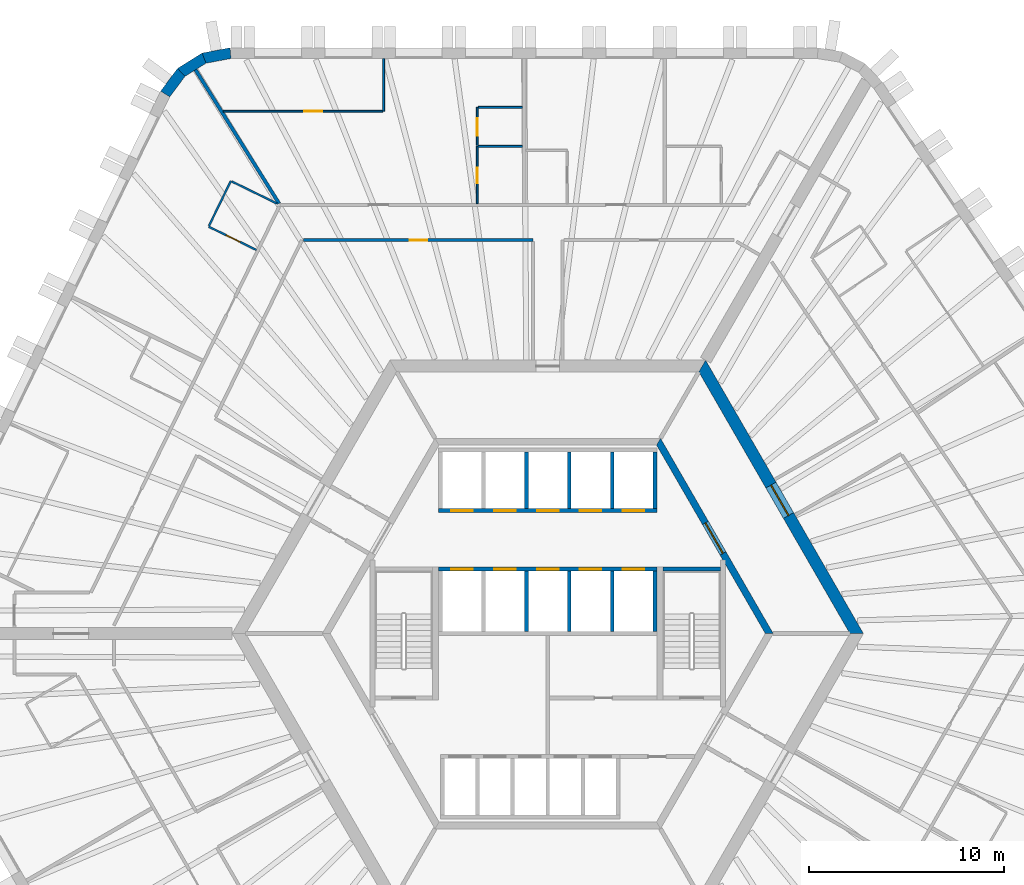
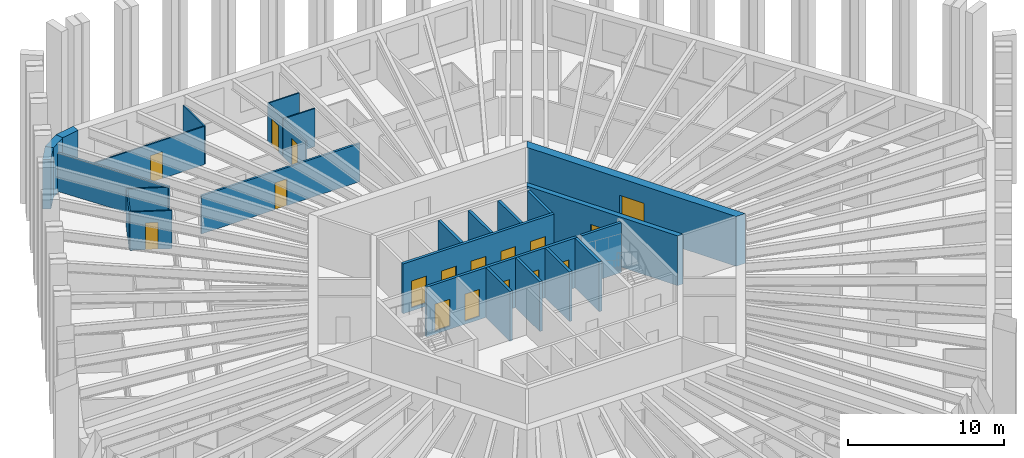
# One storey, part 8 of 13: 27 walls, 17 doors, 17 openings.
"""IFC4 building model written with IfcOpenShell, lengths in metres."""

from ifc_helpers import new_model, si_unit, direction, frame, frame_2d, origin, place, context, subcontext, project, spatial, polyline, rectangle, outline, extrude, material, layer, layer_set, type_object, element, fill, save


model = new_model("IFC4")

# Units and contexts
model_context = context("Model", 3, precision=1e-05, world=origin(), true_north=direction((0.0, 1.0)))
body_context = subcontext(model_context, "Body", "Model", "MODEL_VIEW")
ifc_project = project(units=[si_unit("LENGTHUNIT", "METRE"), si_unit("AREAUNIT", "SQUARE_METRE"), si_unit("VOLUMEUNIT", "CUBIC_METRE"), si_unit("PLANEANGLEUNIT", "RADIAN"), si_unit("MASSUNIT", "GRAM", prefix="KILO")], contexts=[model_context])

# Site, building, storey
site_placement = place(None, origin())
site = spatial("IfcSite", under=ifc_project, at=site_placement, CompositionType="ELEMENT")
building_placement = place(site_placement, origin())
building = spatial("IfcBuilding", under=site, at=building_placement, Name="Tarnside Tower", CompositionType="ELEMENT")
storey_placement = place(building_placement, frame((0.0, 0.0, 111.60009765625)))
storey = spatial("IfcBuildingStorey", under=building, at=storey_placement, Name="L25", CompositionType="ELEMENT", Elevation=111.60009765625)

# Wall, opening, door
ifc_material_1 = material(Name="Gypsum board partition on steel studs", Category="steel")
ifc_layer_1 = layer(ifc_material_1, 0.10009765625)
ifc_layer_set_1 = layer_set([ifc_layer_1], Name="Bathroom wall 100")
wall_type_1 = type_object("IfcWallType", Name="Bathroom wall 100", PredefinedType="PARTITIONING", material=ifc_layer_set_1)
wall_1_placement = place(storey_placement, frame((-3.611083984375, 22.02490234375, 0.0), z_axis=(0.0, 0.0, 1.0), x_axis=(0.0, 1.0, 0.0)))
wall_1 = element("IfcWall", 1, at=wall_1_placement, inside=storey, type_object=wall_type_1, Name="Bathroom wall 08081", PredefinedType="PARTITIONING", context=body_context, shape_type="SweptSolid", body=[
    extrude(rectangle(XDim=2.925048828125, YDim=0.10009765625, at=frame_2d((1.46240234375, 0.0))), origin(), (0.0, 0.0, 1.0), 2.98779296875),
])
opening_1_placement = place(wall_1_placement, frame((1.02490234375, 0.0, 0.0)))
opening_1 = element("IfcOpeningElement", 2, at=opening_1_placement, cuts=wall_1, Name="Opening D-B1", PredefinedType="OPENING", context=body_context, shape_type="SweptSolid", body=[
    extrude(rectangle(XDim=0.800048828125, YDim=2.10009765625, at=frame_2d((0.39990234375, 1.050048828125))), frame((0.0, 0.06005859375, 0.0), z_axis=(0.0, -1.0, 0.0), x_axis=(1.0, 0.0, 0.0)), (0.0, 0.0, 1.0), 0.1201171875),
])
ifc_material_2 = material(Name="Timber door leaf", Category="wood")
door_type_1 = type_object("IfcDoorType", Name="Bathroom door 800", OperationType="NOTDEFINED", PredefinedType="DOOR", material=ifc_material_2)
door_1_placement = place(opening_1_placement, origin())
door_1 = element("IfcDoor", 3, at=door_1_placement, inside=storey, type_object=door_type_1, Name="Bathroom door 08006", OperationType="SINGLE_SWING_RIGHT", OverallHeight=2.10009765625, OverallWidth=0.800048828125, PredefinedType="DOOR", context=body_context, shape_type="SweptSolid", body=[
    extrude(rectangle(XDim=0.800048828125, YDim=2.10009765625, at=frame_2d((0.39990234375, 1.050048828125))), frame((0.0, 0.02490234375, 0.0), z_axis=(0.0, -1.0, 0.0), x_axis=(1.0, 0.0, 0.0)), (0.0, 0.0, 1.0), 0.050048828125),
])
fill(opening_1, door_1)

# Wall
wall_2_placement = place(storey_placement, frame((-1.301025390625, 24.949951171875, 0.0), z_axis=(0.0, 0.0, 1.0), x_axis=(-1.0, 0.0, 0.0)))
element("IfcWall", 4, at=wall_2_placement, inside=storey, type_object=wall_type_1, Name="Bathroom wall 08087", PredefinedType="PARTITIONING", context=body_context, shape_type="SweptSolid", body=[
    extrude(rectangle(XDim=2.260009765625, YDim=0.10009765625, at=frame_2d((1.1298828125, 0.0))), origin(), (0.0, 0.0, 1.0), 2.98779296875),
])

# Wall, opening, door
wall_3_placement = place(storey_placement, frame((-14.923095703125, 19.64599609375, 0.0), z_axis=(0.0, 0.0, 1.0), x_axis=(-0.898791692788, 0.43837597217, 0.0)))
wall_3 = element("IfcWall", 5, at=wall_3_placement, inside=storey, type_object=wall_type_1, Name="Bathroom wall 08089", PredefinedType="PARTITIONING", context=body_context, shape_type="SweptSolid", body=[
    extrude(rectangle(XDim=2.72509765625, YDim=0.10009765625, at=frame_2d((1.362548828125, 0.0))), origin(), (0.0, 0.0, 1.0), 2.98779296875),
])
opening_2_placement = place(wall_3_placement, frame((0.925048828125, 0.0, 0.0)))
opening_2 = element("IfcOpeningElement", 6, at=opening_2_placement, cuts=wall_3, Name="Opening D-B1", PredefinedType="OPENING", context=body_context, shape_type="SweptSolid", body=[
    extrude(rectangle(XDim=0.800048828125, YDim=2.10009765625, at=frame_2d((0.39990234375, 1.050048828125))), frame((0.0, 0.06005859375, 0.0), z_axis=(0.0, -1.0, 0.0), x_axis=(1.0, 0.0, 0.0)), (0.0, 0.0, 1.0), 0.1201171875),
])
door_2_placement = place(opening_2_placement, origin())
door_2 = element("IfcDoor", 7, at=door_2_placement, inside=storey, type_object=door_type_1, Name="Bathroom door 08010", OperationType="SINGLE_SWING_RIGHT", OverallHeight=2.10009765625, OverallWidth=0.800048828125, PredefinedType="DOOR", context=body_context, shape_type="SweptSolid", body=[
    extrude(rectangle(XDim=0.800048828125, YDim=2.10009765625, at=frame_2d((0.39990234375, 1.050048828125))), frame((0.0, 0.02490234375, 0.0), z_axis=(0.0, -1.0, 0.0), x_axis=(1.0, 0.0, 0.0)), (0.0, 0.0, 1.0), 0.050048828125),
])
fill(opening_2, door_2)

# Walls
wall_4_placement = place(storey_placement, frame((-17.350341796875, 20.885498046875, 0.0), z_axis=(0.0, 0.0, 1.0), x_axis=(0.438384020656, 0.898787767181, 0.0)))
element("IfcWall", 8, at=wall_4_placement, inside=storey, type_object=wall_type_1, Name="Bathroom wall 08090", PredefinedType="PARTITIONING", context=body_context, shape_type="SweptSolid", body=[
    extrude(rectangle(XDim=2.550048828125, YDim=0.10009765625, at=frame_2d((1.27490234375, 0.0))), origin(), (0.0, 0.0, 1.0), 2.98779296875),
])
wall_5_placement = place(storey_placement, frame((-16.1875, 23.155517578125, 0.0), z_axis=(0.0, 0.0, 1.0), x_axis=(0.898776633961, -0.438406845573, 0.0)))
element("IfcWall", 9, at=wall_5_placement, inside=storey, type_object=wall_type_1, Name="Bathroom wall 08091", PredefinedType="PARTITIONING", context=body_context, shape_type="SweptSolid", body=[
    extrude(rectangle(XDim=2.578857421875, YDim=0.10009765625, at=frame_2d((1.28955078125, 0.0))), origin(), (0.0, 0.0, 1.0), 2.98779296875),
])

# Wall, opening, door
ifc_material_3 = material(Name="Concrete C50/60", Category="concrete")
ifc_layer_2 = layer(ifc_material_3, 0.35009765625)
ifc_layer_set_2 = layer_set([ifc_layer_2], Name="Core block wall 350 C50/60")
wall_type_2 = type_object("IfcWallType", Name="Core block wall 350 C50/60", PredefinedType="SHEAR", material=ifc_layer_set_2)
wall_6_placement = place(storey_placement, frame((11.344970703125, 0.0, -0.150146484375), z_axis=(0.0, 0.0, 1.0), x_axis=(-0.499995046907, 0.866028263435, 0.0)))
wall_6 = element("IfcWall", 10, at=wall_6_placement, inside=storey, type_object=wall_type_2, Name="L25 core block wall face 6", PredefinedType="SHEAR", context=body_context, shape_type="SweptSolid", body=[
    extrude(outline(polyline([(-0.10107421875, -0.175048828125), (11.44580078125, -0.175048828125), (11.24365234375, 0.175048828125), (0.10107421875, 0.175048828125), (-0.10107421875, -0.175048828125)])), origin(), (0.0, 0.0, 1.0), 3.900146484375),
])
opening_3_placement = place(wall_6_placement, frame((4.74365234375, 0.0, 0.14990234375)))
opening_3 = element("IfcOpeningElement", 11, at=opening_3_placement, cuts=wall_6, Name="Opening CD-LOB", PredefinedType="OPENING", context=body_context, shape_type="SweptSolid", body=[
    extrude(rectangle(XDim=1.800048828125, YDim=2.39990234375, at=frame_2d((0.89990234375, 1.199951171875))), frame((0.0, 0.18505859375, 0.0), z_axis=(0.0, -1.0, 0.0), x_axis=(1.0, 0.0, 0.0)), (0.0, 0.0, 1.0), 0.3701171875),
])
ifc_material_4 = material(Name="Steel fire door", Category="steel")
door_type_2 = type_object("IfcDoorType", Name="Lobby double door FD30S 1800x2400", OperationType="NOTDEFINED", PredefinedType="DOOR", material=ifc_material_4)
door_3_placement = place(opening_3_placement, origin())
door_3 = element("IfcDoor", 12, at=door_3_placement, inside=storey, type_object=door_type_2, Name="L25 lobby block door P2", OperationType="DOUBLE_DOOR_SINGLE_SWING", OverallHeight=2.39990234375, OverallWidth=1.800048828125, PredefinedType="DOOR", context=body_context, shape_type="SweptSolid", body=[
    extrude(rectangle(XDim=1.800048828125, YDim=2.39990234375, at=frame_2d((0.89990234375, 1.199951171875))), frame((0.0, 0.02490234375, 0.0), z_axis=(0.0, -1.0, 0.0), x_axis=(1.0, 0.0, 0.0)), (0.0, 0.0, 1.0), 0.050048828125),
])
fill(opening_3, door_3)

ifc_material_5 = material(Name="Concrete C80/95", Category="concrete")
ifc_layer_3 = layer(ifc_material_5, 0.60009765625)
ifc_layer_set_3 = layer_set([ifc_layer_3], Name="Core wall Z1 600 C80/95")
wall_type_3 = type_object("IfcWallType", Name="Core wall Z1 600 C80/95", PredefinedType="SHEAR", material=ifc_layer_set_3)
wall_7_placement = place(storey_placement, frame((15.8193359375, 0.0, -0.150146484375), z_axis=(0.0, 0.0, 1.0), x_axis=(-0.499999880136, 0.866025472988, 0.0)))
wall_7 = element("IfcWall", 13, at=wall_7_placement, inside=storey, type_object=wall_type_3, Name="L25 core wall face 6", PredefinedType="SHEAR", context=body_context, shape_type="SweptSolid", body=[
    extrude(outline(polyline([(-0.17333984375, -0.300048828125), (15.99267578125, -0.300048828125), (15.64599609375, 0.300048828125), (0.17333984375, 0.300048828125), (-0.17333984375, -0.300048828125)])), origin(), (0.0, 0.0, 1.0), 3.900146484375),
])
opening_4_placement = place(wall_7_placement, frame((6.980712890625, 0.0, 0.14990234375)))
opening_4 = element("IfcOpeningElement", 14, at=opening_4_placement, cuts=wall_7, Name="Opening CD-LOB", PredefinedType="OPENING", context=body_context, shape_type="SweptSolid", body=[
    extrude(rectangle(XDim=1.800048828125, YDim=2.39990234375, at=frame_2d((0.89990234375, 1.199951171875))), frame((0.0, 0.31005859375, 0.0), z_axis=(0.0, -1.0, 0.0), x_axis=(1.0, 0.0, 0.0)), (0.0, 0.0, 1.0), 0.6201171875),
])
door_4_placement = place(opening_4_placement, origin())
door_4 = element("IfcDoor", 15, at=door_4_placement, inside=storey, type_object=door_type_2, Name="L25 core door P2", OperationType="DOUBLE_DOOR_SINGLE_SWING", OverallHeight=2.39990234375, OverallWidth=1.800048828125, PredefinedType="DOOR", context=body_context, shape_type="SweptSolid", body=[
    extrude(rectangle(XDim=1.800048828125, YDim=2.39990234375, at=frame_2d((0.89990234375, 1.199951171875))), frame((0.0, 0.02490234375, 0.0), z_axis=(0.0, -1.0, 0.0), x_axis=(1.0, 0.0, 0.0)), (0.0, 0.0, 1.0), 0.050048828125),
])
fill(opening_4, door_4)

ifc_layer_4 = layer(ifc_material_1, 0.14990234375)
ifc_layer_set_4 = layer_set([ifc_layer_4], Name="Corridor wall 150 EI 60")
wall_type_4 = type_object("IfcWallType", Name="Corridor wall 150 EI 60", PredefinedType="PARTITIONING", material=ifc_layer_set_4)
wall_8_placement = place(storey_placement, frame((-12.507568359375, 20.14990234375, 0.0), z_axis=(0.0, 0.0, 1.0), x_axis=(1.0, 0.0, 0.0)))
wall_8 = element("IfcWall", 16, at=wall_8_placement, inside=storey, type_object=wall_type_4, Name="Corridor wall 08018", PredefinedType="PARTITIONING", context=body_context, shape_type="SweptSolid", body=[
    extrude(rectangle(XDim=11.757568359375, YDim=0.14990234375, at=frame_2d((5.87890625, 0.0))), origin(), (0.0, 0.0, 1.0), 2.98779296875),
])
opening_5_placement = place(wall_8_placement, frame((5.428955078125, 0.0, 0.0)))
opening_5 = element("IfcOpeningElement", 17, at=opening_5_placement, cuts=wall_8, Name="Opening D-S1", PredefinedType="OPENING", context=body_context, shape_type="SweptSolid", body=[
    extrude(rectangle(XDim=0.89990234375, YDim=2.10009765625, at=frame_2d((0.449951171875, 1.050048828125))), frame((0.0, 0.0849609375, 0.0), z_axis=(0.0, -1.0, 0.0), x_axis=(1.0, 0.0, 0.0)), (0.0, 0.0, 1.0), 0.169921875),
])
door_type_3 = type_object("IfcDoorType", Name="Service room door 900 FD30S", OperationType="NOTDEFINED", PredefinedType="DOOR", material=ifc_material_2)
door_5_placement = place(opening_5_placement, origin())
door_5 = element("IfcDoor", 18, at=door_5_placement, inside=storey, type_object=door_type_3, Name="Service door 08040", OperationType="SINGLE_SWING_RIGHT", OverallHeight=2.10009765625, OverallWidth=0.89990234375, PredefinedType="DOOR", context=body_context, shape_type="SweptSolid", body=[
    extrude(rectangle(XDim=0.89990234375, YDim=2.10009765625, at=frame_2d((0.449951171875, 1.050048828125))), frame((0.0, 0.02490234375, 0.0), z_axis=(0.0, -1.0, 0.0), x_axis=(1.0, 0.0, 0.0)), (0.0, 0.0, 1.0), 0.050048828125),
])
fill(opening_5, door_5)

# Wall
ifc_layer_5 = layer(ifc_material_1, 0.179931640625)
ifc_layer_set_5 = layer_set([ifc_layer_5], Name="Demising wall 180 EI 60")
wall_type_5 = type_object("IfcWallType", Name="Demising wall 180 EI 60", PredefinedType="PARTITIONING", material=ifc_layer_set_5)
wall_9_placement = place(storey_placement, frame((-18.040771484375, 28.87109375, 0.0), z_axis=(0.0, 0.0, 1.0), x_axis=(0.529928260537, -0.848042474575, 0.0)))
element("IfcWall", 19, at=wall_9_placement, inside=storey, type_object=wall_type_5, Name="Demising wall 08086", PredefinedType="PARTITIONING", context=body_context, shape_type="SweptSolid", body=[
    extrude(rectangle(XDim=8.072998046875, YDim=0.179931640625, at=frame_2d((4.03662109375, 0.0))), origin(), (0.0, 0.0, 1.0), 2.98779296875),
])

# Wall, openings, doors
ifc_material_6 = material(Name="Concrete C40/50", Category="concrete")
ifc_layer_6 = layer(ifc_material_6, 0.199951171875)
ifc_layer_set_6 = layer_set([ifc_layer_6], Name="Lift shaft wall 200 C40/50")
wall_type_6 = type_object("IfcWallType", Name="Lift shaft wall 200 C40/50", PredefinedType="SHEAR", material=ifc_layer_set_6)
wall_10_placement = place(storey_placement, frame((-5.60009765625, 6.300048828125, -0.25), z_axis=(0.0, 0.0, 1.0), x_axis=(1.0, 0.0, 0.0)))
wall_10 = element("IfcWall", 20, at=wall_10_placement, inside=storey, type_object=wall_type_6, Name="L25 lift shaft front wall R1", PredefinedType="SHEAR", context=body_context, shape_type="SweptSolid", body=[
    extrude(rectangle(XDim=11.2001953125, YDim=0.199951171875, at=frame_2d((5.60009765625, 0.0))), origin(), (0.0, 0.0, 1.0), 3.89990234375),
])
opening_6_placement = place(wall_10_placement, frame((0.64990234375, 0.0, 0.25)))
opening_6 = element("IfcOpeningElement", 21, at=opening_6_placement, cuts=wall_10, Name="Opening LD", PredefinedType="OPENING", context=body_context, shape_type="SweptSolid", body=[
    extrude(rectangle(XDim=1.10009765625, YDim=2.10009765625, at=frame_2d((0.550048828125, 1.050048828125))), frame((0.0, 0.10986328125, 0.0), z_axis=(0.0, -1.0, 0.0), x_axis=(1.0, 0.0, 0.0)), (0.0, 0.0, 1.0), 0.219970703125),
])
opening_7_placement = place(wall_10_placement, frame((2.85009765625, 0.0, 0.25)))
opening_7 = element("IfcOpeningElement", 22, at=opening_7_placement, cuts=wall_10, Name="Opening LD", PredefinedType="OPENING", context=body_context, shape_type="SweptSolid", body=[
    extrude(rectangle(XDim=1.10009765625, YDim=2.10009765625, at=frame_2d((0.550048828125, 1.050048828125))), frame((0.0, 0.10986328125, 0.0), z_axis=(0.0, -1.0, 0.0), x_axis=(1.0, 0.0, 0.0)), (0.0, 0.0, 1.0), 0.219970703125),
])
opening_8_placement = place(wall_10_placement, frame((5.050048828125, 0.0, 0.25)))
opening_8 = element("IfcOpeningElement", 23, at=opening_8_placement, cuts=wall_10, Name="Opening LD", PredefinedType="OPENING", context=body_context, shape_type="SweptSolid", body=[
    extrude(rectangle(XDim=1.10009765625, YDim=2.10009765625, at=frame_2d((0.550048828125, 1.050048828125))), frame((0.0, 0.10986328125, 0.0), z_axis=(0.0, -1.0, 0.0), x_axis=(1.0, 0.0, 0.0)), (0.0, 0.0, 1.0), 0.219970703125),
])
opening_9_placement = place(wall_10_placement, frame((7.25, 0.0, 0.25)))
opening_9 = element("IfcOpeningElement", 24, at=opening_9_placement, cuts=wall_10, Name="Opening LD", PredefinedType="OPENING", context=body_context, shape_type="SweptSolid", body=[
    extrude(rectangle(XDim=1.10009765625, YDim=2.10009765625, at=frame_2d((0.550048828125, 1.050048828125))), frame((0.0, 0.10986328125, 0.0), z_axis=(0.0, -1.0, 0.0), x_axis=(1.0, 0.0, 0.0)), (0.0, 0.0, 1.0), 0.219970703125),
])
opening_10_placement = place(wall_10_placement, frame((9.449951171875, 0.0, 0.25)))
opening_10 = element("IfcOpeningElement", 25, at=opening_10_placement, cuts=wall_10, Name="Opening LD", PredefinedType="OPENING", context=body_context, shape_type="SweptSolid", body=[
    extrude(rectangle(XDim=1.10009765625, YDim=2.10009765625, at=frame_2d((0.550048828125, 1.050048828125))), frame((0.0, 0.10986328125, 0.0), z_axis=(0.0, -1.0, 0.0), x_axis=(1.0, 0.0, 0.0)), (0.0, 0.0, 1.0), 0.219970703125),
])
ifc_material_7 = material(Name="Stainless steel", Category="steel")
door_type_4 = type_object("IfcDoorType", Name="Lift landing door 1100x2100", OperationType="NOTDEFINED", PredefinedType="DOOR", material=ifc_material_7)
door_6_placement = place(opening_6_placement, origin())
door_6 = element("IfcDoor", 26, at=door_6_placement, inside=storey, type_object=door_type_4, Name="Low-rise lift 1 landing door L25", OperationType="SLIDING_TO_LEFT", OverallHeight=2.10009765625, OverallWidth=1.10009765625, PredefinedType="DOOR", context=body_context, shape_type="SweptSolid", body=[
    extrude(rectangle(XDim=1.10009765625, YDim=2.10009765625, at=frame_2d((0.550048828125, 1.050048828125))), frame((0.0, 0.02490234375, 0.0), z_axis=(0.0, -1.0, 0.0), x_axis=(1.0, 0.0, 0.0)), (0.0, 0.0, 1.0), 0.050048828125),
])
fill(opening_6, door_6)
door_7_placement = place(opening_7_placement, origin())
door_7 = element("IfcDoor", 27, at=door_7_placement, inside=storey, type_object=door_type_4, Name="Low-rise lift 2 landing door L25", OperationType="SLIDING_TO_LEFT", OverallHeight=2.10009765625, OverallWidth=1.10009765625, PredefinedType="DOOR", context=body_context, shape_type="SweptSolid", body=[
    extrude(rectangle(XDim=1.10009765625, YDim=2.10009765625, at=frame_2d((0.550048828125, 1.050048828125))), frame((0.0, 0.02490234375, 0.0), z_axis=(0.0, -1.0, 0.0), x_axis=(1.0, 0.0, 0.0)), (0.0, 0.0, 1.0), 0.050048828125),
])
fill(opening_7, door_7)
door_8_placement = place(opening_8_placement, origin())
door_8 = element("IfcDoor", 28, at=door_8_placement, inside=storey, type_object=door_type_4, Name="Low-rise lift 3 landing door L25", OperationType="SLIDING_TO_LEFT", OverallHeight=2.10009765625, OverallWidth=1.10009765625, PredefinedType="DOOR", context=body_context, shape_type="SweptSolid", body=[
    extrude(rectangle(XDim=1.10009765625, YDim=2.10009765625, at=frame_2d((0.550048828125, 1.050048828125))), frame((0.0, 0.02490234375, 0.0), z_axis=(0.0, -1.0, 0.0), x_axis=(1.0, 0.0, 0.0)), (0.0, 0.0, 1.0), 0.050048828125),
])
fill(opening_8, door_8)
door_9_placement = place(opening_9_placement, origin())
door_9 = element("IfcDoor", 29, at=door_9_placement, inside=storey, type_object=door_type_4, Name="Low sky-lobby shuttle 1 landing door L25", OperationType="SLIDING_TO_LEFT", OverallHeight=2.10009765625, OverallWidth=1.10009765625, PredefinedType="DOOR", context=body_context, shape_type="SweptSolid", body=[
    extrude(rectangle(XDim=1.10009765625, YDim=2.10009765625, at=frame_2d((0.550048828125, 1.050048828125))), frame((0.0, 0.02490234375, 0.0), z_axis=(0.0, -1.0, 0.0), x_axis=(1.0, 0.0, 0.0)), (0.0, 0.0, 1.0), 0.050048828125),
])
fill(opening_9, door_9)
door_10_placement = place(opening_10_placement, origin())
door_10 = element("IfcDoor", 30, at=door_10_placement, inside=storey, type_object=door_type_4, Name="Low sky-lobby shuttle 2 landing door L25", OperationType="SLIDING_TO_LEFT", OverallHeight=2.10009765625, OverallWidth=1.10009765625, PredefinedType="DOOR", context=body_context, shape_type="SweptSolid", body=[
    extrude(rectangle(XDim=1.10009765625, YDim=2.10009765625, at=frame_2d((0.550048828125, 1.050048828125))), frame((0.0, 0.02490234375, 0.0), z_axis=(0.0, -1.0, 0.0), x_axis=(1.0, 0.0, 0.0)), (0.0, 0.0, 1.0), 0.050048828125),
])
fill(opening_10, door_10)

# Walls
for number, where, z_axis, x_axis, name in (
    (31, (-1.10009765625, 6.39990234375, -0.25), (0.0, 0.0, 1.0), (0.0, 1.0, 0.0), "L25 lift shaft partition R13"),
    (32, (1.10009765625, 6.39990234375, -0.25), (0.0, 0.0, 1.0), (0.0, 1.0, 0.0), "L25 lift shaft partition R14"),
    (33, (3.300048828125, 6.39990234375, -0.25), (0.0, 0.0, 1.0), (0.0, 1.0, 0.0), "L25 lift shaft partition R15"),
    (34, (5.5, 6.39990234375, -0.25), (0.0, 0.0, 1.0), (0.0, 1.0, 0.0), "L25 lift shaft partition R16"),
):
    element("IfcWall", number, at=place(storey_placement, frame(where, z_axis=z_axis, x_axis=x_axis)), inside=storey, type_object=wall_type_6, Name=name, PredefinedType="SHEAR", context=body_context, shape_type="SweptSolid", body=[
        extrude(rectangle(XDim=2.900146484375, YDim=0.199951171875, at=frame_2d((1.4501953125, 0.0))), origin(), (0.0, 0.0, 1.0), 3.89990234375),
    ])

# Wall, openings, doors
wall_11_placement = place(storey_placement, frame((-5.60009765625, 3.300048828125, -0.25), z_axis=(0.0, 0.0, 1.0), x_axis=(1.0, 0.0, 0.0)))
wall_11 = element("IfcWall", 35, at=wall_11_placement, inside=storey, type_object=wall_type_6, Name="L25 lift shaft front wall R2", PredefinedType="SHEAR", context=body_context, shape_type="SweptSolid", body=[
    extrude(rectangle(XDim=11.2001953125, YDim=0.199951171875, at=frame_2d((5.60009765625, 0.0))), origin(), (0.0, 0.0, 1.0), 3.89990234375),
])
opening_11_placement = place(wall_11_placement, frame((0.64990234375, 0.0, 0.25)))
opening_11 = element("IfcOpeningElement", 36, at=opening_11_placement, cuts=wall_11, Name="Opening LD", PredefinedType="OPENING", context=body_context, shape_type="SweptSolid", body=[
    extrude(rectangle(XDim=1.10009765625, YDim=2.10009765625, at=frame_2d((0.550048828125, 1.050048828125))), frame((0.0, 0.10986328125, 0.0), z_axis=(0.0, -1.0, 0.0), x_axis=(1.0, 0.0, 0.0)), (0.0, 0.0, 1.0), 0.219970703125),
])
opening_12_placement = place(wall_11_placement, frame((2.85009765625, 0.0, 0.25)))
opening_12 = element("IfcOpeningElement", 37, at=opening_12_placement, cuts=wall_11, Name="Opening LD", PredefinedType="OPENING", context=body_context, shape_type="SweptSolid", body=[
    extrude(rectangle(XDim=1.10009765625, YDim=2.10009765625, at=frame_2d((0.550048828125, 1.050048828125))), frame((0.0, 0.10986328125, 0.0), z_axis=(0.0, -1.0, 0.0), x_axis=(1.0, 0.0, 0.0)), (0.0, 0.0, 1.0), 0.219970703125),
])
opening_13_placement = place(wall_11_placement, frame((5.050048828125, 0.0, 0.25)))
opening_13 = element("IfcOpeningElement", 38, at=opening_13_placement, cuts=wall_11, Name="Opening LD", PredefinedType="OPENING", context=body_context, shape_type="SweptSolid", body=[
    extrude(rectangle(XDim=1.10009765625, YDim=2.10009765625, at=frame_2d((0.550048828125, 1.050048828125))), frame((0.0, 0.10986328125, 0.0), z_axis=(0.0, -1.0, 0.0), x_axis=(1.0, 0.0, 0.0)), (0.0, 0.0, 1.0), 0.219970703125),
])
opening_14_placement = place(wall_11_placement, frame((7.25, 0.0, 0.25)))
opening_14 = element("IfcOpeningElement", 39, at=opening_14_placement, cuts=wall_11, Name="Opening LD", PredefinedType="OPENING", context=body_context, shape_type="SweptSolid", body=[
    extrude(rectangle(XDim=1.10009765625, YDim=2.10009765625, at=frame_2d((0.550048828125, 1.050048828125))), frame((0.0, 0.10986328125, 0.0), z_axis=(0.0, -1.0, 0.0), x_axis=(1.0, 0.0, 0.0)), (0.0, 0.0, 1.0), 0.219970703125),
])
opening_15_placement = place(wall_11_placement, frame((9.449951171875, 0.0, 0.25)))
opening_15 = element("IfcOpeningElement", 40, at=opening_15_placement, cuts=wall_11, Name="Opening LD", PredefinedType="OPENING", context=body_context, shape_type="SweptSolid", body=[
    extrude(rectangle(XDim=1.10009765625, YDim=2.10009765625, at=frame_2d((0.550048828125, 1.050048828125))), frame((0.0, 0.10986328125, 0.0), z_axis=(0.0, -1.0, 0.0), x_axis=(1.0, 0.0, 0.0)), (0.0, 0.0, 1.0), 0.219970703125),
])
door_11_placement = place(opening_11_placement, origin())
door_11 = element("IfcDoor", 41, at=door_11_placement, inside=storey, type_object=door_type_4, Name="Low-rise lift 4 landing door L25", OperationType="SLIDING_TO_LEFT", OverallHeight=2.10009765625, OverallWidth=1.10009765625, PredefinedType="DOOR", context=body_context, shape_type="SweptSolid", body=[
    extrude(rectangle(XDim=1.10009765625, YDim=2.10009765625, at=frame_2d((0.550048828125, 1.050048828125))), frame((0.0, 0.02490234375, 0.0), z_axis=(0.0, -1.0, 0.0), x_axis=(1.0, 0.0, 0.0)), (0.0, 0.0, 1.0), 0.050048828125),
])
fill(opening_11, door_11)
door_12_placement = place(opening_12_placement, origin())
door_12 = element("IfcDoor", 42, at=door_12_placement, inside=storey, type_object=door_type_4, Name="Low-rise lift 5 landing door L25", OperationType="SLIDING_TO_LEFT", OverallHeight=2.10009765625, OverallWidth=1.10009765625, PredefinedType="DOOR", context=body_context, shape_type="SweptSolid", body=[
    extrude(rectangle(XDim=1.10009765625, YDim=2.10009765625, at=frame_2d((0.550048828125, 1.050048828125))), frame((0.0, 0.02490234375, 0.0), z_axis=(0.0, -1.0, 0.0), x_axis=(1.0, 0.0, 0.0)), (0.0, 0.0, 1.0), 0.050048828125),
])
fill(opening_12, door_12)
door_13_placement = place(opening_13_placement, origin())
door_13 = element("IfcDoor", 43, at=door_13_placement, inside=storey, type_object=door_type_4, Name="Low-rise lift 6 landing door L25", OperationType="SLIDING_TO_LEFT", OverallHeight=2.10009765625, OverallWidth=1.10009765625, PredefinedType="DOOR", context=body_context, shape_type="SweptSolid", body=[
    extrude(rectangle(XDim=1.10009765625, YDim=2.10009765625, at=frame_2d((0.550048828125, 1.050048828125))), frame((0.0, 0.02490234375, 0.0), z_axis=(0.0, -1.0, 0.0), x_axis=(1.0, 0.0, 0.0)), (0.0, 0.0, 1.0), 0.050048828125),
])
fill(opening_13, door_13)
door_14_placement = place(opening_14_placement, origin())
door_14 = element("IfcDoor", 44, at=door_14_placement, inside=storey, type_object=door_type_4, Name="High sky-lobby shuttle 1 landing door L25", OperationType="SLIDING_TO_LEFT", OverallHeight=2.10009765625, OverallWidth=1.10009765625, PredefinedType="DOOR", context=body_context, shape_type="SweptSolid", body=[
    extrude(rectangle(XDim=1.10009765625, YDim=2.10009765625, at=frame_2d((0.550048828125, 1.050048828125))), frame((0.0, 0.02490234375, 0.0), z_axis=(0.0, -1.0, 0.0), x_axis=(1.0, 0.0, 0.0)), (0.0, 0.0, 1.0), 0.050048828125),
])
fill(opening_14, door_14)
door_15_placement = place(opening_15_placement, origin())
door_15 = element("IfcDoor", 45, at=door_15_placement, inside=storey, type_object=door_type_4, Name="Express sky-lobby shuttle 2 landing door L25", OperationType="SLIDING_TO_LEFT", OverallHeight=2.10009765625, OverallWidth=1.10009765625, PredefinedType="DOOR", context=body_context, shape_type="SweptSolid", body=[
    extrude(rectangle(XDim=1.10009765625, YDim=2.10009765625, at=frame_2d((0.550048828125, 1.050048828125))), frame((0.0, 0.02490234375, 0.0), z_axis=(0.0, -1.0, 0.0), x_axis=(1.0, 0.0, 0.0)), (0.0, 0.0, 1.0), 0.050048828125),
])
fill(opening_15, door_15)

# Walls
for number, where, z_axis, x_axis, name in (
    (46, (-1.10009765625, 0.10009765625, -0.25), (0.0, 0.0, 1.0), (0.0, 1.0, 0.0), "L25 lift shaft partition R23"),
    (47, (1.10009765625, 0.10009765625, -0.25), (0.0, 0.0, 1.0), (0.0, 1.0, 0.0), "L25 lift shaft partition R24"),
    (48, (3.300048828125, 0.10009765625, -0.25), (0.0, 0.0, 1.0), (0.0, 1.0, 0.0), "L25 lift shaft partition R25"),
    (49, (5.5, 0.10009765625, -0.25), (0.0, 0.0, 1.0), (0.0, 1.0, 0.0), "L25 lift shaft partition R26"),
):
    element("IfcWall", number, at=place(storey_placement, frame(where, z_axis=z_axis, x_axis=x_axis)), inside=storey, type_object=wall_type_6, Name=name, PredefinedType="SHEAR", context=body_context, shape_type="SweptSolid", body=[
        extrude(rectangle(XDim=3.099853515625, YDim=0.199951171875, at=frame_2d((1.5498046875, 0.0))), origin(), (0.0, 0.0, 1.0), 3.89990234375),
    ])
wall_12_placement = place(storey_placement, frame((5.89990234375, 3.300048828125, -0.25), z_axis=(0.0, 0.0, 1.0), x_axis=(1.0, 0.0, 0.0)))
element("IfcWall", 50, at=wall_12_placement, inside=storey, type_object=wall_type_6, Name="L25 stair 1 enclosure cap wall n", PredefinedType="SHEAR", context=body_context, shape_type="SweptSolid", body=[
    extrude(rectangle(XDim=2.9501953125, YDim=0.199951171875, at=frame_2d((1.47509765625, 0.0))), origin(), (0.0, 0.0, 1.0), 3.89990234375),
])

# Wall, opening, door
ifc_layer_7 = layer(ifc_material_1, 0.10009765625)
ifc_layer_set_7 = layer_set([ifc_layer_7], Name="Partition 100")
wall_type_7 = type_object("IfcWallType", Name="Partition 100", PredefinedType="PARTITIONING", material=ifc_layer_set_7)
wall_13_placement = place(storey_placement, frame((-3.611083984375, 25.0, 0.0), z_axis=(0.0, 0.0, 1.0), x_axis=(0.0, 1.0, 0.0)))
wall_13 = element("IfcWall", 51, at=wall_13_placement, inside=storey, type_object=wall_type_7, Name="Partition wall 08082", PredefinedType="PARTITIONING", context=body_context, shape_type="SweptSolid", body=[
    extrude(rectangle(XDim=1.949951171875, YDim=0.10009765625, at=frame_2d((0.97509765625, 0.0))), origin(), (0.0, 0.0, 1.0), 2.98779296875),
])
opening_16_placement = place(wall_13_placement, frame((0.5, 0.0, 0.0)))
opening_16 = element("IfcOpeningElement", 52, at=opening_16_placement, cuts=wall_13, Name="Opening D-I1", PredefinedType="OPENING", context=body_context, shape_type="SweptSolid", body=[
    extrude(rectangle(XDim=0.89990234375, YDim=2.10009765625, at=frame_2d((0.449951171875, 1.050048828125))), frame((0.0, 0.06005859375, 0.0), z_axis=(0.0, -1.0, 0.0), x_axis=(1.0, 0.0, 0.0)), (0.0, 0.0, 1.0), 0.1201171875),
])
door_type_5 = type_object("IfcDoorType", Name="Internal door 900", OperationType="NOTDEFINED", PredefinedType="DOOR", material=ifc_material_2)
door_16_placement = place(opening_16_placement, origin())
door_16 = element("IfcDoor", 53, at=door_16_placement, inside=storey, type_object=door_type_5, Name="Internal door 08007", OperationType="SINGLE_SWING_RIGHT", OverallHeight=2.10009765625, OverallWidth=0.89990234375, PredefinedType="DOOR", context=body_context, shape_type="SweptSolid", body=[
    extrude(rectangle(XDim=0.89990234375, YDim=2.10009765625, at=frame_2d((0.449951171875, 1.050048828125))), frame((0.0, 0.02490234375, 0.0), z_axis=(0.0, -1.0, 0.0), x_axis=(1.0, 0.0, 0.0)), (0.0, 0.0, 1.0), 0.050048828125),
])
fill(opening_16, door_16)

# Walls
wall_14_placement = place(storey_placement, frame((-3.56103515625, 26.949951171875, 0.0), z_axis=(0.0, 0.0, 1.0), x_axis=(1.0, 0.0, 0.0)))
element("IfcWall", 54, at=wall_14_placement, inside=storey, type_object=wall_type_7, Name="Partition wall 08083", PredefinedType="PARTITIONING", context=body_context, shape_type="SweptSolid", body=[
    extrude(rectangle(XDim=2.260009765625, YDim=0.10009765625, at=frame_2d((1.1298828125, 0.0))), origin(), (0.0, 0.0, 1.0), 2.98779296875),
])
wall_15_placement = place(storey_placement, frame((-8.4111328125, 29.449951171875, 0.0), z_axis=(0.0, 0.0, 1.0), x_axis=(0.0, -1.0, 0.0)))
element("IfcWall", 55, at=wall_15_placement, inside=storey, type_object=wall_type_7, Name="Partition wall 08084", PredefinedType="PARTITIONING", context=body_context, shape_type="SweptSolid", body=[
    extrude(rectangle(XDim=2.699951171875, YDim=0.10009765625, at=frame_2d((1.35009765625, 0.0))), origin(), (0.0, 0.0, 1.0), 2.98779296875),
])

# Wall, opening, door
wall_16_placement = place(storey_placement, frame((-8.4609375, 26.75, 0.0), z_axis=(0.0, 0.0, 1.0), x_axis=(-1.0, 0.0, 0.0)))
wall_16 = element("IfcWall", 56, at=wall_16_placement, inside=storey, type_object=wall_type_7, Name="Partition wall 08085", PredefinedType="PARTITIONING", context=body_context, shape_type="SweptSolid", body=[
    extrude(rectangle(XDim=8.148193359375, YDim=0.10009765625, at=frame_2d((4.07421875, 0.0))), origin(), (0.0, 0.0, 1.0), 2.98779296875),
])
opening_17_placement = place(wall_16_placement, frame((3.10009765625, 0.0, 0.0)))
opening_17 = element("IfcOpeningElement", 57, at=opening_17_placement, cuts=wall_16, Name="Opening D-I1", PredefinedType="OPENING", context=body_context, shape_type="SweptSolid", body=[
    extrude(rectangle(XDim=0.89990234375, YDim=2.10009765625, at=frame_2d((0.449951171875, 1.050048828125))), frame((0.0, 0.06005859375, 0.0), z_axis=(0.0, -1.0, 0.0), x_axis=(1.0, 0.0, 0.0)), (0.0, 0.0, 1.0), 0.1201171875),
])
door_17_placement = place(opening_17_placement, origin())
door_17 = element("IfcDoor", 58, at=door_17_placement, inside=storey, type_object=door_type_5, Name="Internal door 08008", OperationType="SINGLE_SWING_RIGHT", OverallHeight=2.10009765625, OverallWidth=0.89990234375, PredefinedType="DOOR", context=body_context, shape_type="SweptSolid", body=[
    extrude(rectangle(XDim=0.89990234375, YDim=2.10009765625, at=frame_2d((0.449951171875, 1.050048828125))), frame((0.0, 0.02490234375, 0.0), z_axis=(0.0, -1.0, 0.0), x_axis=(1.0, 0.0, 0.0)), (0.0, 0.0, 1.0), 0.050048828125),
])
fill(opening_17, door_17)

# Walls
ifc_material_8 = material(Name="Facing brick", Category="masonry")
ifc_layer_8 = layer(ifc_material_8, 0.10205078125)
ifc_material_9 = material(Name="Concrete C60/75 precast", Category="concrete")
ifc_layer_9 = layer(ifc_material_9, 0.347900390625)
ifc_material_10 = material(Name="Mineral wool insulation")
ifc_layer_10 = layer(ifc_material_10, 0.10009765625)
ifc_layer_set_8 = layer_set([ifc_layer_8, ifc_layer_9, ifc_layer_10], Name="Tube wall 550 brick faced")
wall_type_8 = type_object("IfcWallType", Name="Tube wall 550 brick faced", PredefinedType="SOLIDWALL", material=ifc_layer_set_8)
wall_17_placement = place(storey_placement, frame((-16.24658203125, 29.72509765625, -0.150146484375), z_axis=(0.0, 0.0, 1.0), x_axis=(-0.982705443133, -0.185175624845, 0.0)))
element("IfcWall", 59, at=wall_17_placement, inside=storey, type_object=wall_type_8, Name="Tube wall L25 F1 chord 01", PredefinedType="SOLIDWALL", context=body_context, shape_type="SweptSolid", body=[
    extrude(outline(polyline([(-0.025634765625, -0.27490234375), (1.430908203125, -0.27490234375), (1.327392578125, 0.27490234375), (0.025634765625, 0.27490234375), (-0.025634765625, -0.27490234375)])), origin(), (0.0, 0.0, 1.0), 3.900146484375),
])
wall_18_placement = place(storey_placement, frame((-17.601806640625, 29.4697265625, -0.150146484375), z_axis=(0.0, 0.0, 1.0), x_axis=(-0.848057977594, -0.5299034503, 0.0)))
element("IfcWall", 60, at=wall_18_placement, inside=storey, type_object=wall_type_8, Name="Tube wall L25 F1 chord 02", PredefinedType="SOLIDWALL", context=body_context, shape_type="SweptSolid", body=[
    extrude(outline(polyline([(-0.0517578125, -0.27490234375), (1.4306640625, -0.27490234375), (1.3271484375, 0.27490234375), (0.0517578125, 0.27490234375), (-0.0517578125, -0.27490234375)])), origin(), (0.0, 0.0, 1.0), 3.900146484375),
])
wall_19_placement = place(storey_placement, frame((-18.771240234375, 28.739013671875, -0.150146484375), z_axis=(0.0, 0.0, 1.0), x_axis=(-0.597135295884, -0.802140535324, 0.0)))
element("IfcWall", 61, at=wall_19_placement, inside=storey, type_object=wall_type_8, Name="Tube wall L25 F1 chord 03", PredefinedType="SOLIDWALL", context=body_context, shape_type="SweptSolid", body=[
    extrude(outline(polyline([(-0.0517578125, -0.27490234375), (1.40478515625, -0.27490234375), (1.353515625, 0.27490234375), (0.0517578125, 0.27490234375), (-0.0517578125, -0.27490234375)])), origin(), (0.0, 0.0, 1.0), 3.900146484375),
])

save(model, "model.ifc")
